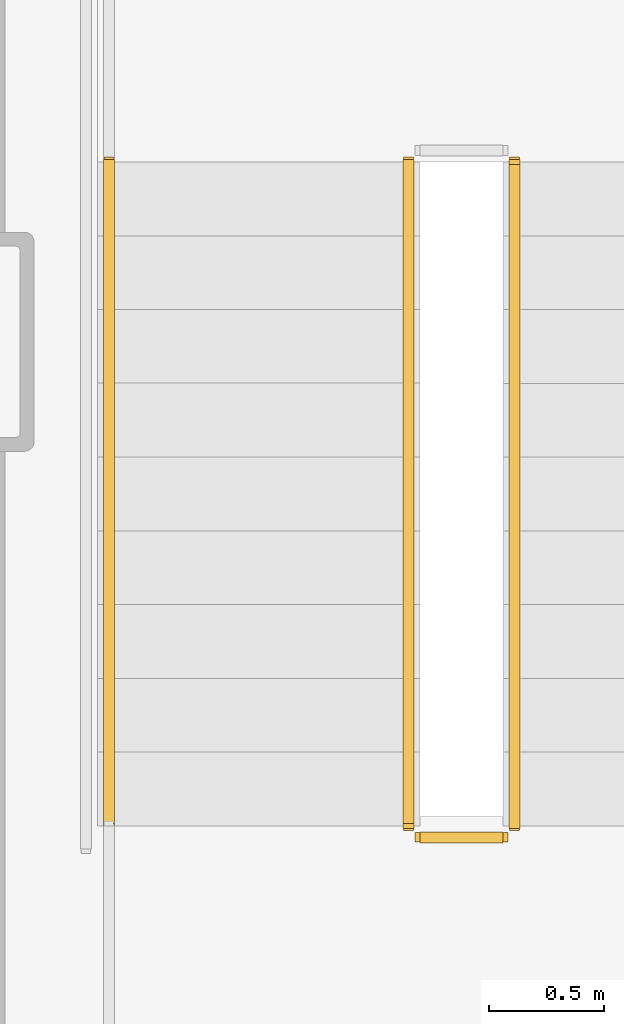
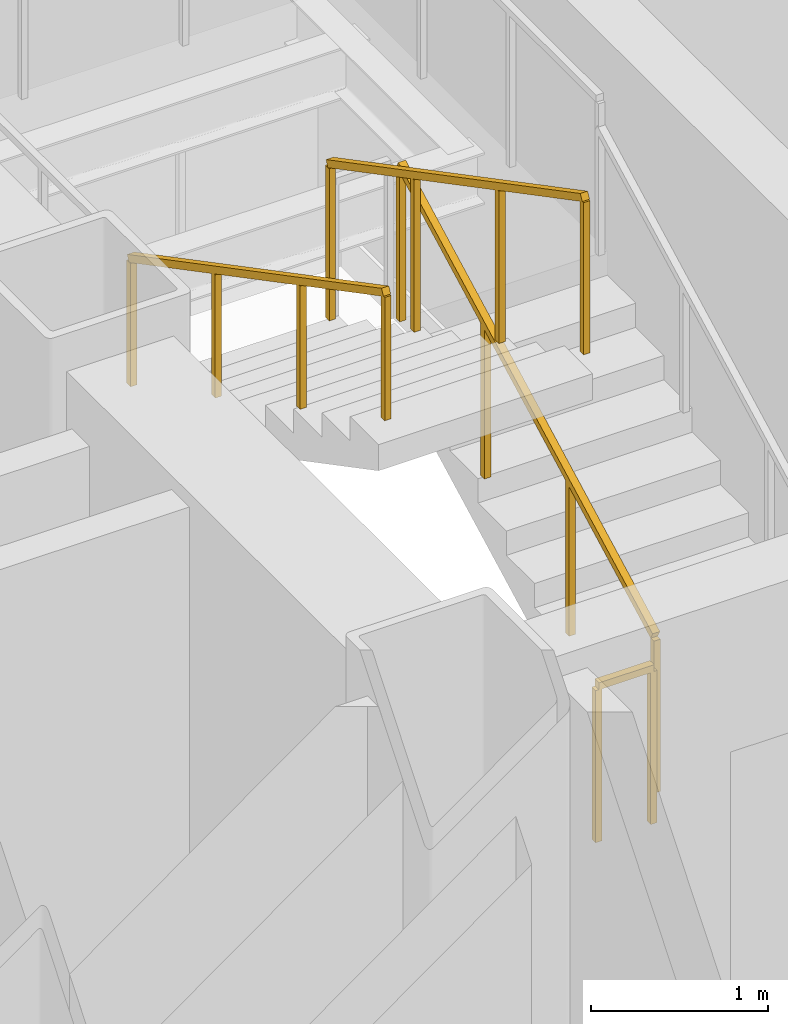
# One storey, part 10 of 13: 4 railings.
"""IFC4 building model written with IfcOpenShell, lengths in metres."""

from ifc_helpers import new_model, si_unit, direction, frame, origin, origin_2d, place, context, subcontext, project, spatial, rectangle, extrude, material, layer, layer_set, type_object, element, save


model = new_model("IFC4")

# Units and contexts
model_context = context("Model", 3, precision=1e-05, world=origin(), true_north=direction((0.0, 1.0)))
body_context = subcontext(model_context, "Body", "Model", "MODEL_VIEW")
ifc_project = project(units=[si_unit("LENGTHUNIT", "METRE"), si_unit("AREAUNIT", "SQUARE_METRE"), si_unit("VOLUMEUNIT", "CUBIC_METRE"), si_unit("PLANEANGLEUNIT", "RADIAN"), si_unit("MASSUNIT", "GRAM", prefix="KILO")], contexts=[model_context])

# Site, building, storey
site_placement = place(None, origin())
site = spatial("IfcSite", under=ifc_project, at=site_placement, CompositionType="ELEMENT")
building_placement = place(site_placement, origin())
building = spatial("IfcBuilding", under=site, at=building_placement, Name="Rocaltana Carrier Exchange", CompositionType="ELEMENT")
storey_placement = place(building_placement, frame((0.0, 0.0, 63.0400390625)))
storey = spatial("IfcBuildingStorey", under=building, at=storey_placement, Name="L19", CompositionType="ELEMENT", Elevation=63.0400390625)

# Railings
ifc_material_1 = material(Name="Brushed Architectural Stainless Tube", Category="steel")
ifc_layer_1 = layer(ifc_material_1, 0.048095703125)
ifc_layer_set_1 = layer_set([ifc_layer_1], Name="Brushed Architectural Stainless Tube")
railing_type_1 = type_object("IfcRailingType", Name="Stair Wall Handrail 920", PredefinedType="HANDRAIL", material=ifc_layer_set_1)
railing_1_placement = place(storey_placement, frame((-5.25, 0.780029296875, 1.847900390625)))
element("IfcRailing", 1, at=railing_1_placement, inside=storey, type_object=railing_type_1, Name="L19 ST-1 stair handrail 2", PredefinedType="HANDRAIL", context=body_context, shape_type="SweptSolid", body=[
    extrude(rectangle(XDim=0.048095703125, YDim=0.048095703125, at=origin_2d()), frame((0.0, 0.0, 0.8759765625), z_axis=(0.0, -0.885411030485, 0.464808893091), x_axis=(1.0, 0.0, 0.0)), (0.0, 0.0, 1.0), 3.2529296875),
    extrude(rectangle(XDim=0.0419921875, YDim=0.0419921875, at=origin_2d()), origin(), (0.0, 0.0, 1.0), 0.851806640625),
    extrude(rectangle(XDim=0.0419921875, YDim=0.0419921875, at=origin_2d()), frame((0.0, -0.9599609375, 0.50390625)), (0.0, 0.0, 1.0), 0.851806640625),
    extrude(rectangle(XDim=0.0419921875, YDim=0.0419921875, at=origin_2d()), frame((0.0, -1.920166015625, 1.008056640625)), (0.0, 0.0, 1.0), 0.851806640625),
    extrude(rectangle(XDim=0.0419921875, YDim=0.0419921875, at=origin_2d()), frame((0.0, -2.880126953125, 1.511962890625)), (0.0, 0.0, 1.0), 0.851806640625),
])
ifc_material_2 = material(Name="Powder-Coated Aluminium 6063-T6", Category="aluminium")
ifc_layer_2 = layer(ifc_material_2, 0.048095703125)
ifc_layer_set_2 = layer_set([ifc_layer_2], Name="Powder-Coated Aluminium 6063-T6")
railing_type_2 = type_object("IfcRailingType", Name="Stair Well Guardrail 1100", PredefinedType="GUARDRAIL", material=ifc_layer_set_2)
railing_2_placement = place(storey_placement, frame((-3.489990234375, -2.10009765625, 0.16796875)))
element("IfcRailing", 2, at=railing_2_placement, inside=storey, type_object=railing_type_2, Name="L19 ST-1 stair guard 1", PredefinedType="GUARDRAIL", context=body_context, shape_type="SweptSolid", body=[
    extrude(rectangle(XDim=0.048095703125, YDim=0.048095703125, at=origin_2d()), frame((0.0, 0.0, 1.076171875), z_axis=(0.0, 0.885411030485, 0.464808893091), x_axis=(-1.0, 0.0, 0.0)), (0.0, 0.0, 1.0), 3.2529296875),
    extrude(rectangle(XDim=0.0419921875, YDim=0.0419921875, at=origin_2d()), origin(), (0.0, 0.0, 1.0), 1.052001953125),
    extrude(rectangle(XDim=0.0419921875, YDim=0.0419921875, at=origin_2d()), frame((0.0, 0.9599609375, 0.50390625)), (0.0, 0.0, 1.0), 1.052001953125),
    extrude(rectangle(XDim=0.0419921875, YDim=0.0419921875, at=origin_2d()), frame((0.0, 1.920166015625, 1.008056640625)), (0.0, 0.0, 1.0), 1.052001953125),
    extrude(rectangle(XDim=0.0419921875, YDim=0.0419921875, at=origin_2d()), frame((0.0, 2.880126953125, 1.511962890625)), (0.0, 0.0, 1.0), 1.052001953125),
])
railing_3_placement = place(storey_placement, frame((-3.949951171875, 0.780029296875, 1.847900390625)))
element("IfcRailing", 3, at=railing_3_placement, inside=storey, type_object=railing_type_2, Name="L19 ST-1 stair guard 6", PredefinedType="GUARDRAIL", context=body_context, shape_type="SweptSolid", body=[
    extrude(rectangle(XDim=0.048095703125, YDim=0.048095703125, at=origin_2d()), frame((0.0, 0.0, 1.076171875), z_axis=(0.0, -0.885411030485, 0.464808893091), x_axis=(1.0, 0.0, 0.0)), (0.0, 0.0, 1.0), 3.2529296875),
    extrude(rectangle(XDim=0.0419921875, YDim=0.0419921875, at=origin_2d()), origin(), (0.0, 0.0, 1.0), 1.052001953125),
    extrude(rectangle(XDim=0.0419921875, YDim=0.0419921875, at=origin_2d()), frame((0.0, -0.9599609375, 0.50390625)), (0.0, 0.0, 1.0), 1.052001953125),
    extrude(rectangle(XDim=0.0419921875, YDim=0.0419921875, at=origin_2d()), frame((0.0, -1.920166015625, 1.008056640625)), (0.0, 0.0, 1.0), 1.052001953125),
    extrude(rectangle(XDim=0.0419921875, YDim=0.0419921875, at=origin_2d()), frame((0.0, -2.880126953125, 1.511962890625)), (0.0, 0.0, 1.0), 1.052001953125),
])
railing_4_placement = place(storey_placement, frame((-3.5400390625, -2.14990234375, 0.0)))
element("IfcRailing", 4, at=railing_4_placement, inside=storey, type_object=railing_type_2, Name="L19 ST-1 stair guard 7", PredefinedType="GUARDRAIL", context=body_context, shape_type="SweptSolid", body=[
    extrude(rectangle(XDim=0.048095703125, YDim=0.048095703125, at=origin_2d()), frame((0.0, 0.0, 1.076171875), z_axis=(-1.0, 0.0, 0.0), x_axis=(0.0, -1.0, 0.0)), (0.0, 0.0, 1.0), 0.35986328125),
    extrude(rectangle(XDim=0.0419921875, YDim=0.0419921875, at=origin_2d()), origin(), (0.0, 0.0, 1.0), 1.052001953125),
    extrude(rectangle(XDim=0.0419921875, YDim=0.0419921875, at=origin_2d()), frame((-0.35986328125, 0.0, 0.0)), (0.0, 0.0, 1.0), 1.052001953125),
])

save(model, "model.ifc")
